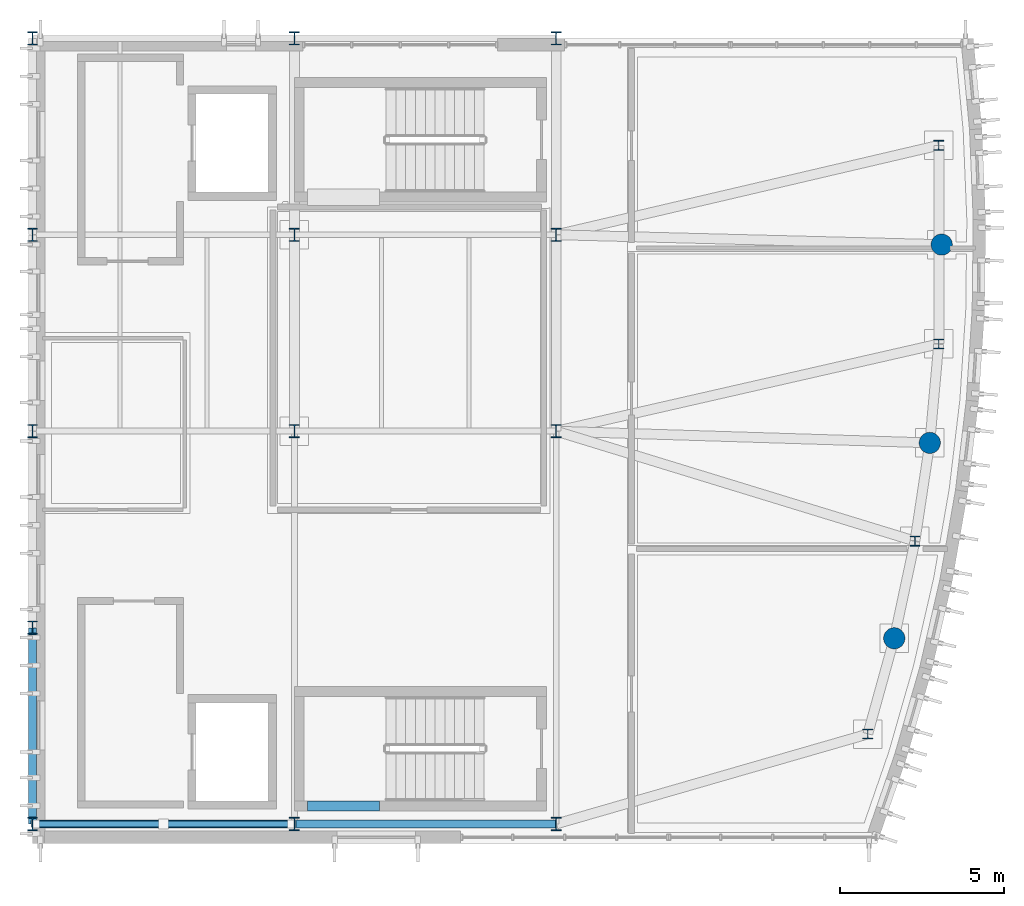
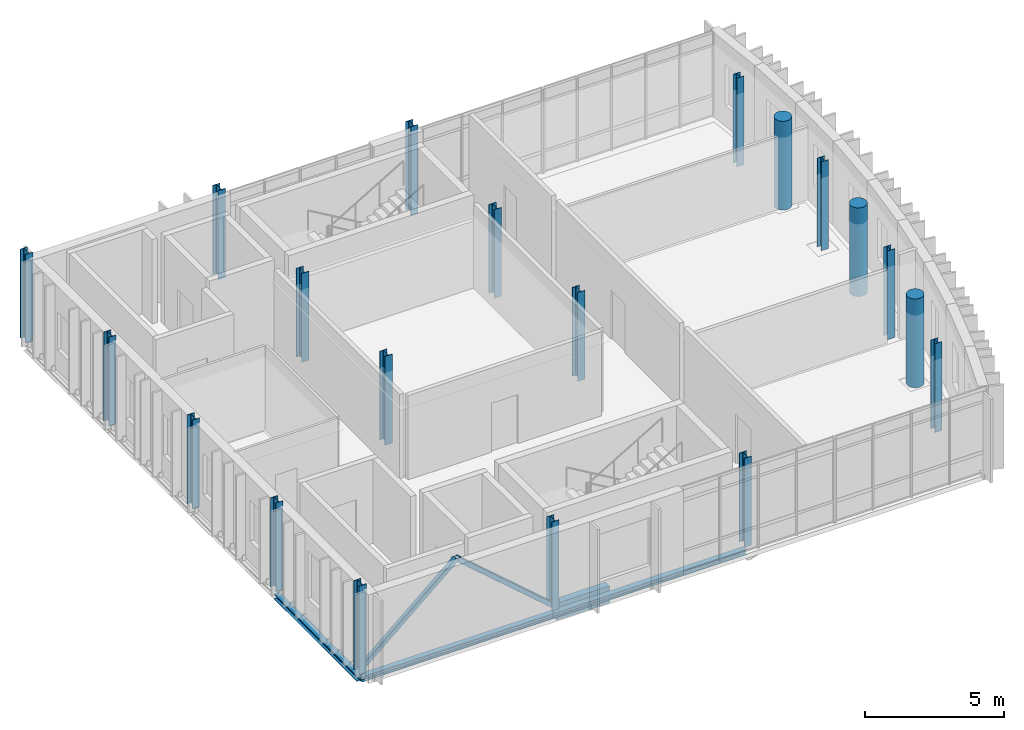
# One storey, part 1 of 10: 20 columns, 4 beams, 2 members.
"""IFC4 building model written with IfcOpenShell, lengths in metres."""

from ifc_helpers import new_model, si_unit, direction, frame, origin, origin_2d, place, context, subcontext, project, spatial, rectangle, hollow_rectangle, circle, i_section, extrude, material, material_profile, profile_set, type_object, element, save


model = new_model("IFC4")

# Units and contexts
model_context = context("Model", 3, precision=1e-05, world=origin(), true_north=direction((0.0, 1.0)))
body_context = subcontext(model_context, "Body", "Model", "MODEL_VIEW")
ifc_project = project(units=[si_unit("LENGTHUNIT", "METRE"), si_unit("AREAUNIT", "SQUARE_METRE"), si_unit("VOLUMEUNIT", "CUBIC_METRE"), si_unit("PLANEANGLEUNIT", "RADIAN"), si_unit("MASSUNIT", "GRAM", prefix="KILO")], contexts=[model_context])

# Site, building, storey
site_placement = place(None, origin())
site = spatial("IfcSite", under=ifc_project, at=site_placement, CompositionType="ELEMENT")
building_placement = place(site_placement, origin())
building = spatial("IfcBuilding", under=site, at=building_placement, Name="Cymarion Research Institute", CompositionType="ELEMENT")
storey_placement = place(building_placement, frame((0.0, 0.0, 38.39990234375)))
storey = spatial("IfcBuildingStorey", under=building, at=storey_placement, Name="L09", CompositionType="ELEMENT", Elevation=38.39990234375)

# Columns
ifc_material_1 = material(Name="Steel S355", Category="steel")
ifc_material_profile_1 = material_profile(ifc_material_1, i_section(OverallWidth=0.300048828125, OverallDepth=0.39990234375, WebThickness=0.013427734375, FlangeThickness=0.02392578125, FilletRadius=0.027099609375, at=origin_2d()), Name="HEB 400")
ifc_profile_set_1 = profile_set([ifc_material_profile_1], Name="Steel S355")
column_type_1 = type_object("IfcColumnType", Name="STRUCTURAL COLUMN C06 HEB 400", PredefinedType="COLUMN", material=ifc_profile_set_1)
for number, where, z_axis, x_axis, name in (
    (1, (138.60009765625, 5.5, 0.0), (0.0, 0.0, 1.0), (1.0, 0.0, 0.0), "L09 V1 column C06 #1297"),
    (2, (138.60009765625, 11.5, 0.0), (0.0, 0.0, 1.0), (1.0, 0.0, 0.0), "L09 V1 column C06 #1298"),
    (3, (138.60009765625, 17.5, 0.0), (0.0, 0.0, 1.0), (1.0, 0.0, 0.0), "L09 V1 column C06 #1299"),
    (4, (138.60009765625, 23.5, 0.0), (0.0, 0.0, 1.0), (1.0, 0.0, 0.0), "L09 V1 column C06 #1300"),
    (5, (138.60009765625, 29.5, 0.0), (0.0, 0.0, 1.0), (1.0, 0.0, 0.0), "L09 V1 column C06 #1301"),
    (6, (146.60009765625, 5.5, 0.0), (0.0, 0.0, 1.0), (1.0, 0.0, 0.0), "L09 V1 column C06 #1302"),
    (7, (146.60009765625, 17.5, 0.0), (0.0, 0.0, 1.0), (1.0, 0.0, 0.0), "L09 V1 column C06 #1303"),
    (8, (146.60009765625, 23.5, 0.0), (0.0, 0.0, 1.0), (1.0, 0.0, 0.0), "L09 V1 column C06 #1304"),
    (9, (146.60009765625, 29.5, 0.0), (0.0, 0.0, 1.0), (1.0, 0.0, 0.0), "L09 V1 column C06 #1305"),
    (10, (154.60009765625, 5.5, 0.0), (0.0, 0.0, 1.0), (1.0, 0.0, 0.0), "L09 V1 column C06 #1306"),
    (11, (154.60009765625, 17.5, 0.0), (0.0, 0.0, 1.0), (1.0, 0.0, 0.0), "L09 V1 column C06 #1307"),
    (12, (154.60009765625, 23.5, 0.0), (0.0, 0.0, 1.0), (1.0, 0.0, 0.0), "L09 V1 column C06 #1308"),
    (13, (154.60009765625, 29.5, 0.0), (0.0, 0.0, 1.0), (1.0, 0.0, 0.0), "L09 V1 column C06 #1309"),
):
    element("IfcColumn", number, at=place(storey_placement, frame(where, z_axis=z_axis, x_axis=x_axis)), inside=storey, type_object=column_type_1, Name=name, PredefinedType="COLUMN", context=body_context, shape_type="SweptSolid", body=[
        extrude(i_section(OverallWidth=0.300048828125, OverallDepth=0.39990234375, WebThickness=0.013427734375, FlangeThickness=0.02392578125, FilletRadius=0.027099609375, at=origin_2d()), origin(), (0.0, 0.0, 1.0), 3.900146484375),
    ])
ifc_material_profile_2 = material_profile(ifc_material_1, i_section(OverallWidth=0.300048828125, OverallDepth=0.300048828125, WebThickness=0.010986328125, FlangeThickness=0.01904296875, FilletRadius=0.027099609375, at=origin_2d()), Name="HEB 300")
ifc_profile_set_2 = profile_set([ifc_material_profile_2], Name="Steel S355")
column_type_2 = type_object("IfcColumnType", Name="STRUCTURAL COLUMN C08 HEB 300", PredefinedType="COLUMN", material=ifc_profile_set_2)
for number, where, z_axis, x_axis, name in (
    (14, (164.118896484375, 8.2470703125, 0.0), (0.0, 0.0, 1.0), (1.0, 0.0, 0.0), "L09 V1 column C08 #1310"),
    (15, (165.559814453125, 14.1416015625, 0.0), (0.0, 0.0, 1.0), (1.0, 0.0, 0.0), "L09 V1 column C08 #1312"),
    (16, (166.285400390625, 20.166015625, 0.0), (0.0, 0.0, 1.0), (1.0, 0.0, 0.0), "L09 V1 column C08 #1314"),
    (17, (166.285400390625, 26.23388671875, 0.0), (0.0, 0.0, 1.0), (1.0, 0.0, 0.0), "L09 V1 column C08 #1315"),
):
    element("IfcColumn", number, at=place(storey_placement, frame(where, z_axis=z_axis, x_axis=x_axis)), inside=storey, type_object=column_type_2, Name=name, PredefinedType="COLUMN", context=body_context, shape_type="SweptSolid", body=[
        extrude(i_section(OverallWidth=0.300048828125, OverallDepth=0.300048828125, WebThickness=0.010986328125, FlangeThickness=0.01904296875, FilletRadius=0.027099609375, at=origin_2d()), origin(), (0.0, 0.0, 1.0), 3.900146484375),
    ])
ifc_material_2 = material(Name="Concrete C40/50", Category="concrete")
ifc_material_profile_3 = material_profile(ifc_material_2, circle(Radius=0.324951171875, at=origin_2d()), Name="RC D650")
ifc_profile_set_3 = profile_set([ifc_material_profile_3], Name="Concrete C40/50")
column_type_3 = type_object("IfcColumnType", Name="STRUCTURAL COLUMN C21 RC D650", PredefinedType="COLUMN", material=ifc_profile_set_3)
for number, where, z_axis, x_axis, name in (
    (18, (164.927734375, 11.172607421875, 0.0), (0.0, 0.0, 1.0), (1.0, 0.0, 0.0), "L09 V1 column C21 #1311"),
    (19, (166.012939453125, 17.142822265625, 0.0), (0.0, 0.0, 1.0), (1.0, 0.0, 0.0), "L09 V1 column C21 #1313"),
    (20, (166.37646484375, 23.199951171875, 0.0), (0.0, 0.0, 1.0), (1.0, 0.0, 0.0), "L09 V1 column C21 #1316"),
):
    element("IfcColumn", number, at=place(storey_placement, frame(where, z_axis=z_axis, x_axis=x_axis)), inside=storey, type_object=column_type_3, Name=name, PredefinedType="COLUMN", context=body_context, shape_type="SweptSolid", body=[
        extrude(circle(Radius=0.324951171875, at=origin_2d()), origin(), (0.0, 0.0, 1.0), 3.900146484375),
    ])

# Beams
ifc_material_profile_4 = material_profile(ifc_material_2, rectangle(XDim=0.300048828125, YDim=0.75, at=origin_2d()), Name="RC 300x750")
ifc_profile_set_4 = profile_set([ifc_material_profile_4], Name="Concrete C40/50")
beam_type_1 = type_object("IfcBeamType", Name="COUPLING LINTEL LN01 RC 300x750", PredefinedType="LINTEL", material=ifc_profile_set_4)
beam_1_placement = place(storey_placement, frame((147.0, 6.050048828125, -0.594970703125), z_axis=(1.0, 0.0, 0.0), x_axis=(0.0, 1.0, 0.0)))
element("IfcBeam", 21, at=beam_1_placement, inside=storey, type_object=beam_type_1, Name="L09 C1 core coupling lintel LN01", PredefinedType="LINTEL", context=body_context, shape_type="SweptSolid", body=[
    extrude(rectangle(XDim=0.300048828125, YDim=0.75, at=origin_2d()), origin(), (0.0, 0.0, 1.0), 2.199951171875),
])
ifc_material_profile_5 = material_profile(ifc_material_1, i_section(OverallWidth=0.239990234375, OverallDepth=0.22998046875, WebThickness=0.007568359375, FlangeThickness=0.011962890625, FilletRadius=0.02099609375, at=origin_2d()), Name="HEA 240")
ifc_profile_set_5 = profile_set([ifc_material_profile_5], Name="Steel S355")
beam_type_2 = type_object("IfcBeamType", Name="SPANDREL BEAM SPB03 HEA 240", PredefinedType="SPANDREL", material=ifc_profile_set_5)
for number, where, z_axis, x_axis, name in (
    (22, (138.60595703125, 5.5, -0.31494140625), (1.0, 0.0, 0.0), (0.0, 1.0, 0.0), "L09 V1 girder SPB03 #2386"),
    (23, (146.60595703125, 5.5, -0.31494140625), (1.0, 0.0, 0.0), (0.0, 1.0, 0.0), "L09 V1 girder SPB03 #2387"),
):
    element("IfcBeam", number, at=place(storey_placement, frame(where, z_axis=z_axis, x_axis=x_axis)), inside=storey, type_object=beam_type_2, Name=name, PredefinedType="SPANDREL", context=body_context, shape_type="SweptSolid", body=[
        extrude(i_section(OverallWidth=0.239990234375, OverallDepth=0.22998046875, WebThickness=0.007568359375, FlangeThickness=0.011962890625, FilletRadius=0.02099609375, at=origin_2d()), origin(), (0.0, 0.0, 1.0), 7.988037109375),
    ])
beam_2_placement = place(storey_placement, frame((138.60009765625, 5.506103515625, -0.31494140625), z_axis=(0.0, 1.0, 0.0), x_axis=(-1.0, 0.0, 0.0)))
element("IfcBeam", 24, at=beam_2_placement, inside=storey, type_object=beam_type_2, Name="L09 V1 girder SPB03 #2394", PredefinedType="SPANDREL", context=body_context, shape_type="SweptSolid", body=[
    extrude(i_section(OverallWidth=0.239990234375, OverallDepth=0.22998046875, WebThickness=0.007568359375, FlangeThickness=0.011962890625, FilletRadius=0.02099609375, at=origin_2d()), origin(), (0.0, 0.0, 1.0), 5.98779296875),
])

# Members
ifc_material_profile_6 = material_profile(ifc_material_1, hollow_rectangle(XDim=0.199951171875, YDim=0.199951171875, WallThickness=0.010009765625, InnerFilletRadius=0.014892578125, OuterFilletRadius=0.02490234375, at=origin_2d()), Name="SHS 200x200x10")
ifc_profile_set_6 = profile_set([ifc_material_profile_6], Name="Steel S355")
member_type = type_object("IfcMemberType", Name="STRUCTURAL MEMBER BR07 SHS 200x200x10", PredefinedType="BRACE", material=ifc_profile_set_6)
for number, where, z_axis, x_axis, name in (
    (25, (138.615234375, 5.5, 0.1201171875), (0.756332128238, 0.0, 0.654187826082), (0.0, 1.0, 0.0), "L09 V1 seismic chevron brace BR07 #1"),
    (26, (146.584716796875, 5.5, 0.1201171875), (-0.756332128238, 0.0, 0.654187826082), (0.0, -1.0, 0.0), "L09 V1 seismic chevron brace BR07 #2"),
):
    element("IfcMember", number, at=place(storey_placement, frame(where, z_axis=z_axis, x_axis=x_axis)), inside=storey, type_object=member_type, Name=name, PredefinedType="BRACE", context=body_context, shape_type="SweptSolid", body=[
        extrude(hollow_rectangle(XDim=0.199951171875, YDim=0.199951171875, WallThickness=0.010009765625, InnerFilletRadius=0.014892578125, OuterFilletRadius=0.02490234375, at=origin_2d()), origin(), (0.0, 0.0, 1.0), 5.25830078125),
    ])

save(model, "model.ifc")
